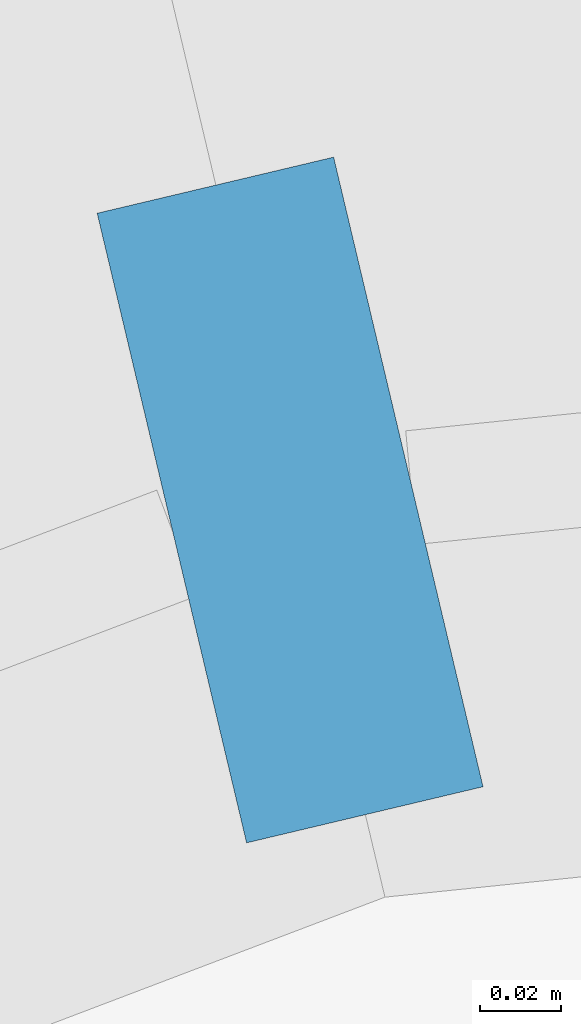
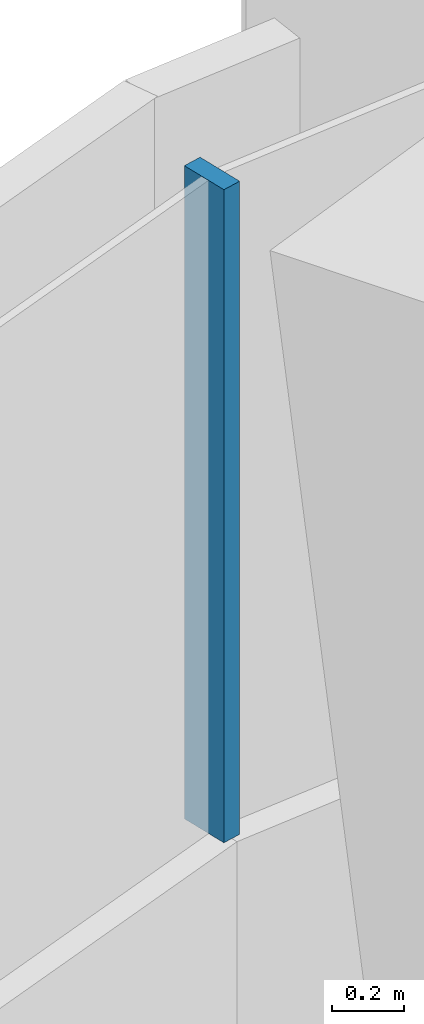
# One storey, part 17 of 32: 1 member, 1 element without a shape of its own.
"""IFC4 building model written with IfcOpenShell, lengths in metres."""

from ifc_helpers import new_model, si_unit, direction, frame, origin, origin_2d, place, context, subcontext, project, spatial, rectangle, extrude, material, layer, layer_set, material_profile, profile_set, type_object, element, aggregate, save


model = new_model("IFC4")

# Units and contexts
model_context = context("Model", 3, precision=1e-05, world=origin(), true_north=direction((0.0, 1.0)))
body_context = subcontext(model_context, "Body", "Model", "MODEL_VIEW")
ifc_project = project(units=[si_unit("LENGTHUNIT", "METRE"), si_unit("AREAUNIT", "SQUARE_METRE"), si_unit("VOLUMEUNIT", "CUBIC_METRE"), si_unit("PLANEANGLEUNIT", "RADIAN"), si_unit("MASSUNIT", "GRAM", prefix="KILO")], contexts=[model_context])

# Site, building, storey
site_placement = place(None, origin())
site = spatial("IfcSite", under=ifc_project, at=site_placement, CompositionType="ELEMENT")
building_placement = place(site_placement, origin())
building = spatial("IfcBuilding", under=site, at=building_placement, Name="Tamarind Cross Interchange Tower", CompositionType="ELEMENT")
storey_placement = place(building_placement, frame((0.0, 0.0, 109.75)))
storey = spatial("IfcBuildingStorey", under=building, at=storey_placement, Name="L26", CompositionType="ELEMENT", Elevation=109.75)

# Curtain wall, member
ifc_material = material(Name="Aluminium 6063-T6", Category="aluminium")
ifc_layer = layer(ifc_material, 0.159912109375)
ifc_layer_set = layer_set([ifc_layer], Name="Aluminium 6063-T6")
curtain_wall_type = type_object("IfcCurtainWallType", Name="Office curtain wall, 9.0 m bays", PredefinedType="NOTDEFINED", material=ifc_layer_set)
curtain_wall_placement = place(storey_placement, origin())
curtain_wall = element("IfcCurtainWall", 1, at=curtain_wall_placement, inside=storey, type_object=curtain_wall_type, Name="CWS-L26-09", PredefinedType="NOTDEFINED")
ifc_material_profile = material_profile(ifc_material, rectangle(XDim=0.06005859375, YDim=0.159912109375, at=origin_2d()), Name="Mullion CW1")
ifc_profile_set = profile_set([ifc_material_profile], Name="Aluminium 6063-T6")
member_type = type_object("IfcMemberType", Name="Mullion CW1", PredefinedType="MULLION", material=ifc_profile_set)
member_placement = place(storey_placement, frame((43.084716796875, 15.32861328125, 1.39990234375), z_axis=(0.0, 0.0, 1.0), x_axis=(-0.972976072696, -0.230905959127, 0.0)))
member = element("IfcMember", 2, at=member_placement, type_object=member_type, Name="CWM-L26-09-00", PredefinedType="MULLION", context=body_context, shape_type="SweptSolid", body=[
    extrude(rectangle(XDim=0.06005859375, YDim=0.159912109375, at=origin_2d()), origin(), (0.0, 0.0, 1.0), 2.210205078125),
])
aggregate(curtain_wall, [member])

save(model, "model.ifc")
